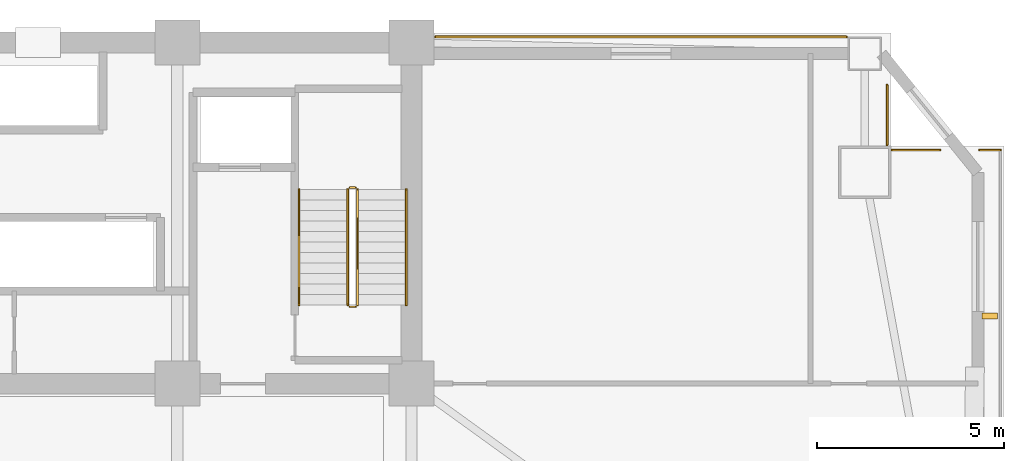
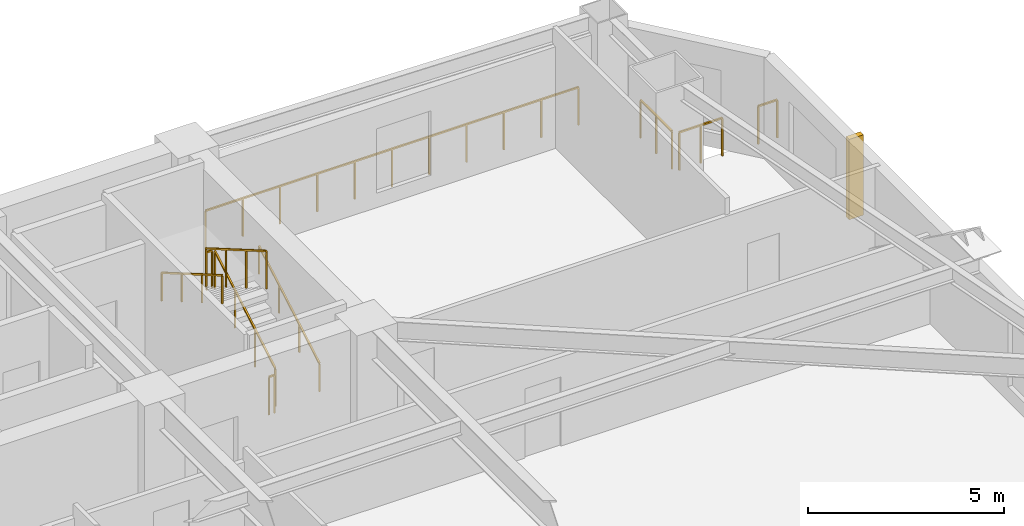
# One storey, part 15 of 15: 10 railings, 1 shading device.
"""IFC4 building model written with IfcOpenShell, lengths in metres."""

from ifc_helpers import new_model, si_unit, direction, frame, origin, origin_2d, place, context, subcontext, project, spatial, rectangle, extrude, source, transform, mapped, material, type_object, element, save


model = new_model("IFC4")

# Units and contexts
model_context = context("Model", 3, precision=1e-05, world=origin(), true_north=direction((0.0, 1.0)))
body_context = subcontext(model_context, "Body", "Model", "MODEL_VIEW")
ifc_project = project(units=[si_unit("LENGTHUNIT", "METRE"), si_unit("AREAUNIT", "SQUARE_METRE"), si_unit("VOLUMEUNIT", "CUBIC_METRE"), si_unit("PLANEANGLEUNIT", "RADIAN"), si_unit("MASSUNIT", "GRAM", prefix="KILO")], contexts=[model_context])

# Site, building, storey
site_placement = place(None, origin())
site = spatial("IfcSite", under=ifc_project, at=site_placement, CompositionType="ELEMENT")
building_placement = place(site_placement, origin())
building = spatial("IfcBuilding", under=site, at=building_placement, Name="Giltprow Tower", CompositionType="ELEMENT")
storey_placement = place(building_placement, frame((0.0, 0.0, 115.300048828125)))
storey = spatial("IfcBuildingStorey", under=building, at=storey_placement, Name="L28", CompositionType="ELEMENT", Elevation=115.300048828125)

# Railings
ifc_material = material(Name="Anodized bronze", Category="metal")
railing_type_1 = type_object("IfcRailingType", Name="RAIL-BALC-GUARD-1200", PredefinedType="BALUSTRADE", material=ifc_material)
railing_1_placement = place(storey_placement, frame((51.18505859375, 46.699951171875, 0.0)))
element("IfcRailing", 1, at=railing_1_placement, inside=storey, type_object=railing_type_1, Name="L28 Corner Apron Edge Balustrade 10", PredefinedType="BALUSTRADE", context=body_context, shape_type="SweptSolid", body=[
    extrude(rectangle(XDim=0.048095703125, YDim=0.048095703125, at=origin_2d()), frame((0.0, 0.0, 1.17578125), z_axis=(1.0, 0.0, 0.0), x_axis=(0.0, 1.0, 0.0)), (0.0, 0.0, 1.0), 10.968994140625),
    extrude(rectangle(XDim=0.0419921875, YDim=0.0419921875, at=origin_2d()), origin(), (0.0, 0.0, 1.0), 1.15185546875),
    extrude(rectangle(XDim=0.0419921875, YDim=0.0419921875, at=origin_2d()), frame((1.096923828125, 0.0, 0.0)), (0.0, 0.0, 1.0), 1.15185546875),
    extrude(rectangle(XDim=0.0419921875, YDim=0.0419921875, at=origin_2d()), frame((2.19384765625, 0.0, 0.0)), (0.0, 0.0, 1.0), 1.15185546875),
    extrude(rectangle(XDim=0.0419921875, YDim=0.0419921875, at=origin_2d()), frame((3.290771484375, 0.0, 0.0)), (0.0, 0.0, 1.0), 1.15185546875),
    extrude(rectangle(XDim=0.0419921875, YDim=0.0419921875, at=origin_2d()), frame((4.3876953125, 0.0, 0.0)), (0.0, 0.0, 1.0), 1.15185546875),
    extrude(rectangle(XDim=0.0419921875, YDim=0.0419921875, at=origin_2d()), frame((5.484375, 0.0, 0.0)), (0.0, 0.0, 1.0), 1.15185546875),
    extrude(rectangle(XDim=0.0419921875, YDim=0.0419921875, at=origin_2d()), frame((6.581298828125, 0.0, 0.0)), (0.0, 0.0, 1.0), 1.15185546875),
    extrude(rectangle(XDim=0.0419921875, YDim=0.0419921875, at=origin_2d()), frame((7.67822265625, 0.0, 0.0)), (0.0, 0.0, 1.0), 1.15185546875),
    extrude(rectangle(XDim=0.0419921875, YDim=0.0419921875, at=origin_2d()), frame((8.775146484375, 0.0, 0.0)), (0.0, 0.0, 1.0), 1.15185546875),
    extrude(rectangle(XDim=0.0419921875, YDim=0.0419921875, at=origin_2d()), frame((9.8720703125, 0.0, 0.0)), (0.0, 0.0, 1.0), 1.15185546875),
    extrude(rectangle(XDim=0.0419921875, YDim=0.0419921875, at=origin_2d()), frame((10.968994140625, 0.0, 0.0)), (0.0, 0.0, 1.0), 1.15185546875),
])
railing_2_placement = place(storey_placement, frame((63.239013671875, 45.4140625, 0.0)))
element("IfcRailing", 2, at=railing_2_placement, inside=storey, type_object=railing_type_1, Name="L28 Corner Apron Edge Balustrade 11", PredefinedType="BALUSTRADE", context=body_context, shape_type="SweptSolid", body=[
    extrude(rectangle(XDim=0.048095703125, YDim=0.048095703125, at=origin_2d()), frame((0.0, 0.0, 1.17578125), z_axis=(0.0, -1.0, 0.0), x_axis=(1.0, 0.0, 0.0)), (0.0, 0.0, 1.0), 1.595947265625),
    extrude(rectangle(XDim=0.0419921875, YDim=0.0419921875, at=origin_2d()), origin(), (0.0, 0.0, 1.0), 1.15185546875),
    extrude(rectangle(XDim=0.0419921875, YDim=0.0419921875, at=origin_2d()), frame((0.0, -0.7978515625, 0.0)), (0.0, 0.0, 1.0), 1.15185546875),
    extrude(rectangle(XDim=0.0419921875, YDim=0.0419921875, at=origin_2d()), frame((0.0, -1.595947265625, 0.0)), (0.0, 0.0, 1.0), 1.15185546875),
])
railing_3_placement = place(storey_placement, frame((63.3740234375, 43.68310546875, 0.0)))
element("IfcRailing", 3, at=railing_3_placement, inside=storey, type_object=railing_type_1, Name="L28 Corner Apron Edge Balustrade 12", PredefinedType="BALUSTRADE", context=body_context, shape_type="SweptSolid", body=[
    extrude(rectangle(XDim=0.048095703125, YDim=0.048095703125, at=origin_2d()), frame((0.0, 0.0, 1.17578125), z_axis=(1.0, 0.0, 0.0), x_axis=(0.0, 1.0, 0.0)), (0.0, 0.0, 1.0), 1.26806640625),
    extrude(rectangle(XDim=0.0419921875, YDim=0.0419921875, at=origin_2d()), origin(), (0.0, 0.0, 1.0), 1.15185546875),
    extrude(rectangle(XDim=0.0419921875, YDim=0.0419921875, at=origin_2d()), frame((0.634033203125, 0.0, 0.0)), (0.0, 0.0, 1.0), 1.15185546875),
    extrude(rectangle(XDim=0.0419921875, YDim=0.0419921875, at=origin_2d()), frame((1.26806640625, 0.0, 0.0)), (0.0, 0.0, 1.0), 1.15185546875),
])
railing_4_placement = place(storey_placement, frame((65.697021484375, 43.68310546875, 0.0)))
element("IfcRailing", 4, at=railing_4_placement, inside=storey, type_object=railing_type_1, Name="L28 Corner Apron Edge Balustrade 13", PredefinedType="BALUSTRADE", context=body_context, shape_type="SweptSolid", body=[
    extrude(rectangle(XDim=0.048095703125, YDim=0.048095703125, at=origin_2d()), frame((0.0, 0.0, 1.17578125), z_axis=(1.0, 0.0, 0.0), x_axis=(0.0, 1.0, 0.0)), (0.0, 0.0, 1.0), 0.55908203125),
    extrude(rectangle(XDim=0.0419921875, YDim=0.0419921875, at=origin_2d()), origin(), (0.0, 0.0, 1.0), 1.15185546875),
    extrude(rectangle(XDim=0.0419921875, YDim=0.0419921875, at=origin_2d()), frame((0.55908203125, 0.0, 0.0)), (0.0, 0.0, 1.0), 1.15185546875),
])
railing_type_2 = type_object("IfcRailingType", Name="RAIL-STAIR-GUARD-1200", PredefinedType="GUARDRAIL", material=ifc_material)
railing_5_placement = place(storey_placement, frame((49.110107421875, 39.550048828125, 0.162353515625)))
element("IfcRailing", 5, at=railing_5_placement, inside=storey, type_object=railing_type_2, Name="L28 ST-3 stair guard 1", PredefinedType="GUARDRAIL", context=body_context, shape_type="SweptSolid", body=[
    extrude(rectangle(XDim=0.048095703125, YDim=0.048095703125, at=origin_2d()), frame((0.0, 0.0, 1.17578125), z_axis=(0.0, 0.864873446163, 0.501989962173), x_axis=(-1.0, 0.0, 0.0)), (0.0, 0.0, 1.0), 3.56103515625),
    extrude(rectangle(XDim=0.0419921875, YDim=0.0419921875, at=origin_2d()), origin(), (0.0, 0.0, 1.0), 1.15185546875),
    extrude(rectangle(XDim=0.0419921875, YDim=0.0419921875, at=origin_2d()), frame((0.0, 1.026611328125, 0.595947265625)), (0.0, 0.0, 1.0), 1.15185546875),
    extrude(rectangle(XDim=0.0419921875, YDim=0.0419921875, at=origin_2d()), frame((0.0, 2.05322265625, 1.191650390625)), (0.0, 0.0, 1.0), 1.15185546875),
    extrude(rectangle(XDim=0.0419921875, YDim=0.0419921875, at=origin_2d()), frame((0.0, 3.079833984375, 1.78759765625)), (0.0, 0.0, 1.0), 1.15185546875),
])
railing_6_placement = place(storey_placement, frame((49.06005859375, 42.679931640625, 1.949951171875)))
element("IfcRailing", 6, at=railing_6_placement, inside=storey, type_object=railing_type_2, Name="L28 ST-3 stair guard 2", PredefinedType="GUARDRAIL", context=body_context, shape_type="SweptSolid", body=[
    extrude(rectangle(XDim=0.048095703125, YDim=0.048095703125, at=origin_2d()), frame((0.0, 0.0, 1.17578125), z_axis=(-1.0, 0.0, 0.0), x_axis=(0.0, -1.0, 0.0)), (0.0, 0.0, 1.0), 0.16015625),
    extrude(rectangle(XDim=0.0419921875, YDim=0.0419921875, at=origin_2d()), origin(), (0.0, 0.0, 1.0), 1.15185546875),
    extrude(rectangle(XDim=0.0419921875, YDim=0.0419921875, at=origin_2d()), frame((-0.16015625, 0.0, 0.0)), (0.0, 0.0, 1.0), 1.15185546875),
])
railing_7_placement = place(storey_placement, frame((48.85009765625, 42.6298828125, 2.112548828125)))
element("IfcRailing", 7, at=railing_7_placement, inside=storey, type_object=railing_type_2, Name="L28 ST-3 stair guard 3", PredefinedType="GUARDRAIL", context=body_context, shape_type="SweptSolid", body=[
    extrude(rectangle(XDim=0.048095703125, YDim=0.048095703125, at=origin_2d()), frame((0.0, 0.0, 1.17578125), z_axis=(0.0, -0.864903211148, 0.501938676878), x_axis=(1.0, 0.0, 0.0)), (0.0, 0.0, 1.0), 3.560791015625),
    extrude(rectangle(XDim=0.0419921875, YDim=0.0419921875, at=origin_2d()), origin(), (0.0, 0.0, 1.0), 1.15185546875),
    extrude(rectangle(XDim=0.0419921875, YDim=0.0419921875, at=origin_2d()), frame((0.0, -1.026611328125, 0.595703125)), (0.0, 0.0, 1.0), 1.15185546875),
    extrude(rectangle(XDim=0.0419921875, YDim=0.0419921875, at=origin_2d()), frame((0.0, -2.05322265625, 1.191650390625)), (0.0, 0.0, 1.0), 1.15185546875),
    extrude(rectangle(XDim=0.0419921875, YDim=0.0419921875, at=origin_2d()), frame((0.0, -3.079833984375, 1.787353515625)), (0.0, 0.0, 1.0), 1.15185546875),
])
railing_8_placement = place(storey_placement, frame((49.06005859375, 39.5, 0.0)))
element("IfcRailing", 8, at=railing_8_placement, inside=storey, type_object=railing_type_2, Name="L28 ST-3 stair guard 4", PredefinedType="GUARDRAIL", context=body_context, shape_type="SweptSolid", body=[
    extrude(rectangle(XDim=0.048095703125, YDim=0.048095703125, at=origin_2d()), frame((0.0, 0.0, 1.17578125), z_axis=(-1.0, 0.0, 0.0), x_axis=(0.0, -1.0, 0.0)), (0.0, 0.0, 1.0), 0.16015625),
    extrude(rectangle(XDim=0.0419921875, YDim=0.0419921875, at=origin_2d()), origin(), (0.0, 0.0, 1.0), 1.15185546875),
    extrude(rectangle(XDim=0.0419921875, YDim=0.0419921875, at=origin_2d()), frame((-0.16015625, 0.0, 0.0)), (0.0, 0.0, 1.0), 1.15185546875),
])
railing_type_3 = type_object("IfcRailingType", Name="RAIL-STAIR-HAND-900", PredefinedType="HANDRAIL", material=ifc_material)
railing_9_placement = place(storey_placement, frame((50.409912109375, 39.550048828125, 0.162353515625)))
element("IfcRailing", 9, at=railing_9_placement, inside=storey, type_object=railing_type_3, Name="L28 ST-3 stair handrail 1", PredefinedType="HANDRAIL", context=body_context, shape_type="SweptSolid", body=[
    extrude(rectangle(XDim=0.048095703125, YDim=0.048095703125, at=origin_2d()), frame((0.0, 0.0, 0.8759765625), z_axis=(0.0, 0.864873446163, 0.501989962173), x_axis=(-1.0, 0.0, 0.0)), (0.0, 0.0, 1.0), 3.56103515625),
    extrude(rectangle(XDim=0.0419921875, YDim=0.0419921875, at=origin_2d()), origin(), (0.0, 0.0, 1.0), 0.851806640625),
    extrude(rectangle(XDim=0.0419921875, YDim=0.0419921875, at=origin_2d()), frame((0.0, 1.026611328125, 0.595947265625)), (0.0, 0.0, 1.0), 0.851806640625),
    extrude(rectangle(XDim=0.0419921875, YDim=0.0419921875, at=origin_2d()), frame((0.0, 2.05322265625, 1.191650390625)), (0.0, 0.0, 1.0), 0.851806640625),
    extrude(rectangle(XDim=0.0419921875, YDim=0.0419921875, at=origin_2d()), frame((0.0, 3.079833984375, 1.78759765625)), (0.0, 0.0, 1.0), 0.851806640625),
])
railing_10_placement = place(storey_placement, frame((47.550048828125, 42.6298828125, 2.112548828125)))
element("IfcRailing", 10, at=railing_10_placement, inside=storey, type_object=railing_type_3, Name="L28 ST-3 stair handrail 2", PredefinedType="HANDRAIL", context=body_context, shape_type="SweptSolid", body=[
    extrude(rectangle(XDim=0.048095703125, YDim=0.048095703125, at=origin_2d()), frame((0.0, 0.0, 0.8759765625), z_axis=(0.0, -0.864903211148, 0.501938676878), x_axis=(1.0, 0.0, 0.0)), (0.0, 0.0, 1.0), 3.560791015625),
    extrude(rectangle(XDim=0.0419921875, YDim=0.0419921875, at=origin_2d()), origin(), (0.0, 0.0, 1.0), 0.851806640625),
    extrude(rectangle(XDim=0.0419921875, YDim=0.0419921875, at=origin_2d()), frame((0.0, -1.026611328125, 0.595703125)), (0.0, 0.0, 1.0), 0.851806640625),
    extrude(rectangle(XDim=0.0419921875, YDim=0.0419921875, at=origin_2d()), frame((0.0, -2.05322265625, 1.191650390625)), (0.0, 0.0, 1.0), 0.851806640625),
    extrude(rectangle(XDim=0.0419921875, YDim=0.0419921875, at=origin_2d()), frame((0.0, -3.079833984375, 1.787353515625)), (0.0, 0.0, 1.0), 0.851806640625),
])

# Shading device
shading_device_type = type_object("IfcShadingDeviceType", Name="SHD-FIN-420", PredefinedType="USERDEFINED", material=ifc_material)
shared_shape = source(origin(), body_context, "Body", "SweptSolid", [
    extrude(rectangle(XDim=0.419921875, YDim=0.159912109375, at=origin_2d()), origin(), (0.0, 0.0, 1.0), 2.5),
])
shading_device_placement = place(storey_placement, frame((65.97607421875, 39.25, 0.349853515625), z_axis=(0.0, 0.0, 1.0), x_axis=(1.0, 0.0, 0.0)))
element("IfcShadingDevice", 11, at=shading_device_placement, inside=storey, type_object=shading_device_type, Name="L28 E Bronze Vertical Fin 2-2", ObjectType="FIN", PredefinedType="USERDEFINED", context=body_context, shape_type="MappedRepresentation", body=[
    mapped(shared_shape, transform((0.0, 0.0, 0.0), x_axis=(1.0, 0.0, 0.0), y_axis=(0.0, 1.0, 0.0), z_axis=(0.0, 0.0, 1.0), scale=1.0)),
])

save(model, "model.ifc")
